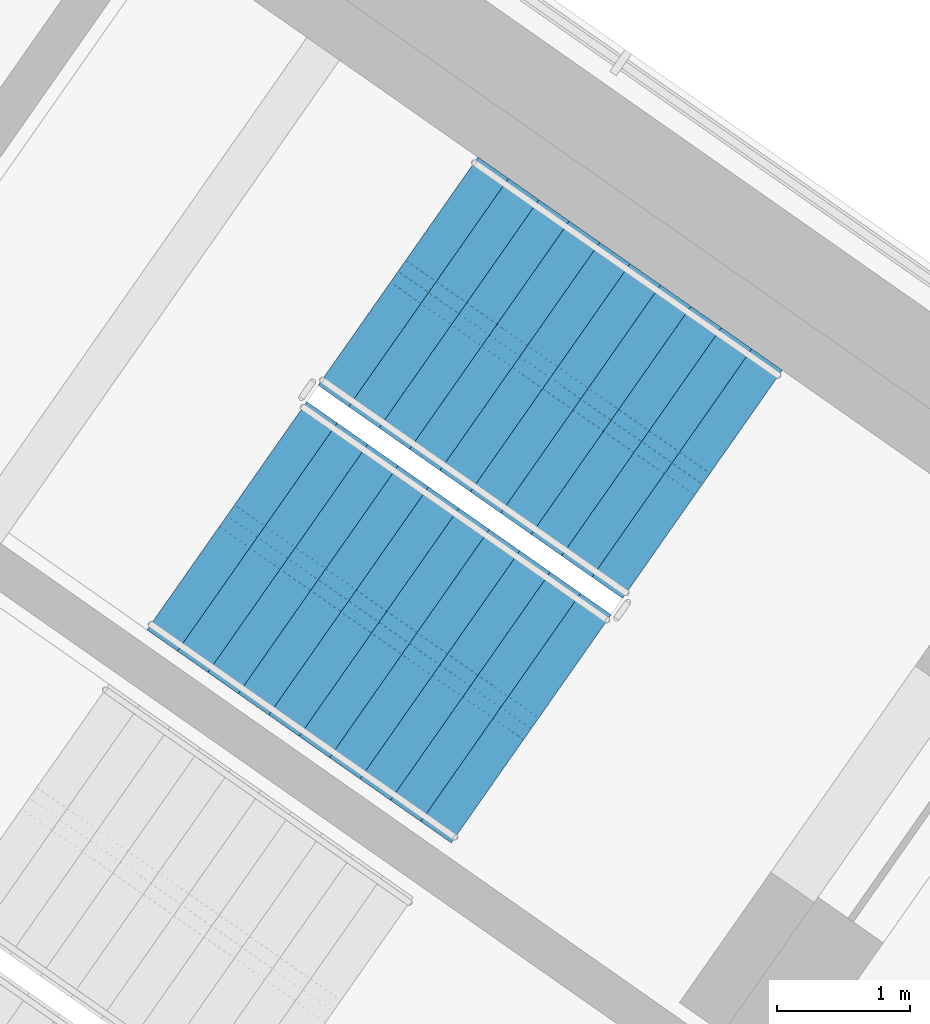
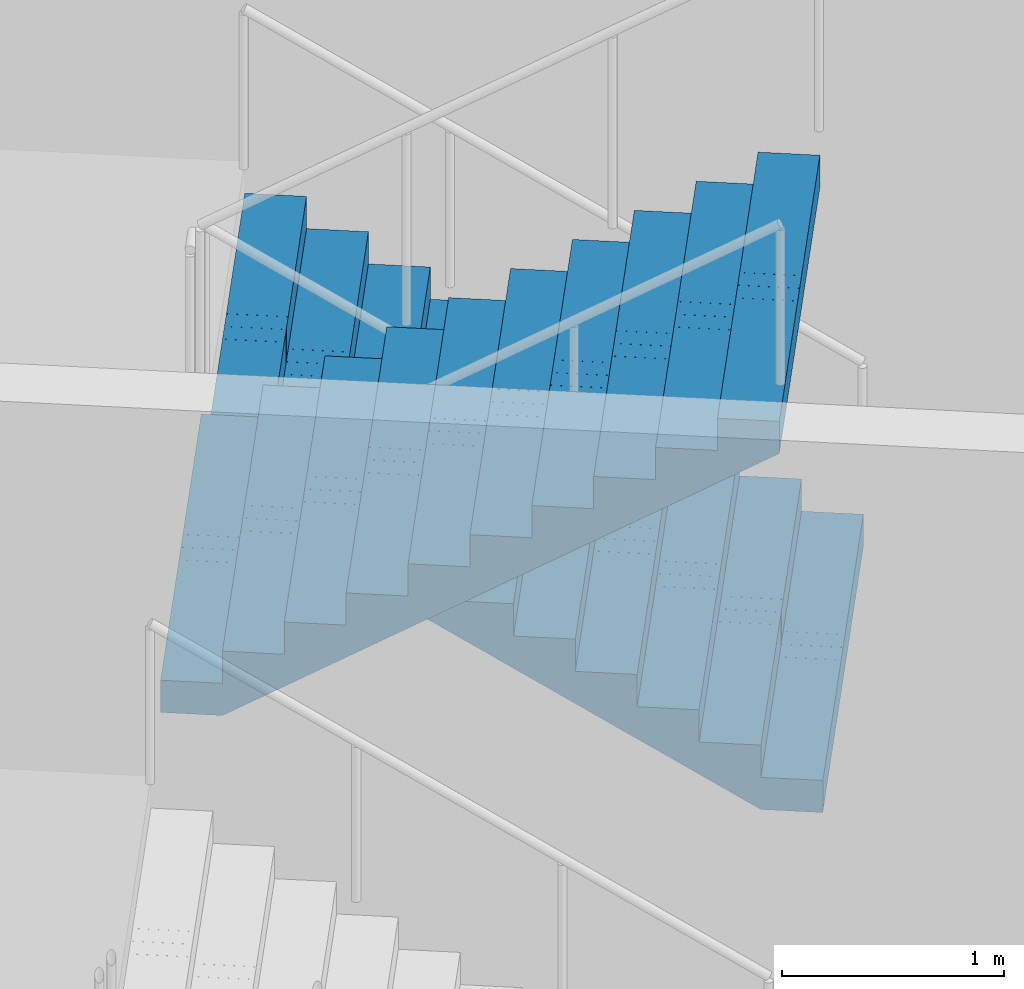
# One storey, part 15 of 20: 2 stair flights, 1 element without a shape of its own.
"""IFC4 building model written with IfcOpenShell, lengths in metres."""

from ifc_helpers import new_model, si_unit, direction, frame, origin, place, context, subcontext, project, spatial, polyline, outline, extrude, material, type_object, element, aggregate, save


model = new_model("IFC4")

# Units and contexts
model_context = context("Model", 3, precision=1e-05, world=origin(), true_north=direction((0.0, 1.0)))
body_context = subcontext(model_context, "Body", "Model", "MODEL_VIEW")
ifc_project = project(units=[si_unit("LENGTHUNIT", "METRE"), si_unit("AREAUNIT", "SQUARE_METRE"), si_unit("VOLUMEUNIT", "CUBIC_METRE"), si_unit("PLANEANGLEUNIT", "RADIAN"), si_unit("MASSUNIT", "GRAM", prefix="KILO")], contexts=[model_context])

# Site, building, storey
site_placement = place(None, origin())
site = spatial("IfcSite", under=ifc_project, at=site_placement, CompositionType="ELEMENT")
building_placement = place(site_placement, origin())
building = spatial("IfcBuilding", under=site, at=building_placement, Name="Tel Ilan Convention Tower", CompositionType="ELEMENT")
storey_placement = place(building_placement, frame((0.0, 0.0, 237.10009765625)))
storey = spatial("IfcBuildingStorey", under=building, at=storey_placement, Name="L55", CompositionType="ELEMENT", Elevation=237.10009765625)

# Stair, stair flights
ifc_material_1 = material(Name="Concrete C40/50", Category="concrete")
stair_type = type_object("IfcStairType", Name="Pressurised Exit Stair 22 risers 177 mm", PredefinedType="HALF_TURN_STAIR", material=ifc_material_1)
stair_placement = place(storey_placement, origin())
stair = element("IfcStair", 1, at=stair_placement, inside=storey, type_object=stair_type, Name="L55 Pressurised Stair S3", PredefinedType="HALF_TURN_STAIR")
ifc_material_2 = material(Name="Precast Concrete C40/50", Category="concrete")
stair_flight_type = type_object("IfcStairFlightType", Name="Concrete Stair Flight 2100 mm 22 risers 177 mm", PredefinedType="STRAIGHT", material=ifc_material_2)
stair_flight_1_placement = place(storey_placement, frame((24.25244140625, -7.032470703125, 0.0), z_axis=(0.0, 0.0, 1.0), x_axis=(-0.819152044289, 0.573576436351, 0.0)))
stair_flight_1 = element("IfcStairFlight", 2, at=stair_flight_1_placement, type_object=stair_flight_type, Name="S3 flight 1", NumberOfRisers=11, NumberOfTreads=10, PredefinedType="STRAIGHT", RiserHeight=0.177272727, TreadLength=0.28, context=body_context, shape_type="SweptSolid", body=[
    extrude(outline(polyline([(0.0, 0.0), (0.0, 0.17724609375), (0.280029296875, 0.17724609375), (0.280029296875, 0.3544921875), (0.56005859375, 0.3544921875), (0.56005859375, 0.53173828125), (0.840087890625, 0.53173828125), (0.840087890625, 0.708984375), (1.1201171875, 0.708984375), (1.1201171875, 0.886474609375), (1.39990234375, 0.886474609375), (1.39990234375, 1.063720703125), (1.679931640625, 1.063720703125), (1.679931640625, 1.240966796875), (1.9599609375, 1.240966796875), (1.9599609375, 1.418212890625), (2.239990234375, 1.418212890625), (2.239990234375, 1.595458984375), (2.52001953125, 1.595458984375), (2.52001953125, 1.772705078125), (2.800048828125, 1.772705078125), (2.800048828125, 1.949951171875), (2.800048828125, 1.59521484375), (0.2802734375, 0.0), (0.0, 0.0)])), frame((0.0, -0.100341796875, 0.0), z_axis=(0.0, -1.0, 0.0), x_axis=(1.0, 0.0, 0.0)), (0.0, 0.0, 1.0), 0.94970703125),
    extrude(outline(polyline([(0.0, 0.0), (0.0, 0.17724609375), (0.280029296875, 0.17724609375), (0.280029296875, 0.3544921875), (0.56005859375, 0.3544921875), (0.56005859375, 0.53173828125), (0.840087890625, 0.53173828125), (0.840087890625, 0.708984375), (1.1201171875, 0.708984375), (1.1201171875, 0.886474609375), (1.39990234375, 0.886474609375), (1.39990234375, 1.063720703125), (1.679931640625, 1.063720703125), (1.679931640625, 1.240966796875), (1.9599609375, 1.240966796875), (1.9599609375, 1.418212890625), (2.239990234375, 1.418212890625), (2.239990234375, 1.595458984375), (2.52001953125, 1.595458984375), (2.52001953125, 1.772705078125), (2.800048828125, 1.772705078125), (2.800048828125, 1.949951171875), (2.800048828125, 1.59521484375), (0.2802734375, 0.0), (0.0, 0.0)])), frame((0.0, -0.000244140625, 0.0), z_axis=(0.0, -1.0, 0.0), x_axis=(1.0, 0.0, 0.0)), (0.0, 0.0, 1.0), 0.099609375),
    extrude(outline(polyline([(0.0, 0.0), (0.0, 0.17724609375), (0.280029296875, 0.17724609375), (0.280029296875, 0.3544921875), (0.56005859375, 0.3544921875), (0.56005859375, 0.53173828125), (0.840087890625, 0.53173828125), (0.840087890625, 0.708984375), (1.1201171875, 0.708984375), (1.1201171875, 0.886474609375), (1.39990234375, 0.886474609375), (1.39990234375, 1.063720703125), (1.679931640625, 1.063720703125), (1.679931640625, 1.240966796875), (1.9599609375, 1.240966796875), (1.9599609375, 1.418212890625), (2.239990234375, 1.418212890625), (2.239990234375, 1.595458984375), (2.52001953125, 1.595458984375), (2.52001953125, 1.772705078125), (2.800048828125, 1.772705078125), (2.800048828125, 1.949951171875), (2.800048828125, 1.59521484375), (0.2802734375, 0.0), (0.0, 0.0)])), frame((0.0, 0.099853515625, 0.0), z_axis=(0.0, -1.0, 0.0), x_axis=(1.0, 0.0, 0.0)), (0.0, 0.0, 1.0), 0.099609375),
    extrude(outline(polyline([(0.0, 0.0), (0.0, 0.17724609375), (0.280029296875, 0.17724609375), (0.280029296875, 0.3544921875), (0.56005859375, 0.3544921875), (0.56005859375, 0.53173828125), (0.840087890625, 0.53173828125), (0.840087890625, 0.708984375), (1.1201171875, 0.708984375), (1.1201171875, 0.886474609375), (1.39990234375, 0.886474609375), (1.39990234375, 1.063720703125), (1.679931640625, 1.063720703125), (1.679931640625, 1.240966796875), (1.9599609375, 1.240966796875), (1.9599609375, 1.418212890625), (2.239990234375, 1.418212890625), (2.239990234375, 1.595458984375), (2.52001953125, 1.595458984375), (2.52001953125, 1.772705078125), (2.800048828125, 1.772705078125), (2.800048828125, 1.949951171875), (2.800048828125, 1.59521484375), (0.2802734375, 0.0), (0.0, 0.0)])), frame((0.0, 1.050048828125, 0.0), z_axis=(0.0, -1.0, 0.0), x_axis=(1.0, 0.0, 0.0)), (0.0, 0.0, 1.0), 0.94970703125),
])
stair_flight_2_placement = place(storey_placement, frame((20.668212890625, -7.26953125, 1.949951171875), z_axis=(0.0, 0.0, 1.0), x_axis=(0.819152044289, -0.573576436351, 0.0)))
stair_flight_2 = element("IfcStairFlight", 3, at=stair_flight_2_placement, type_object=stair_flight_type, Name="S3 flight 2", NumberOfRisers=11, NumberOfTreads=10, PredefinedType="STRAIGHT", RiserHeight=0.177272727, TreadLength=0.28, context=body_context, shape_type="SweptSolid", body=[
    extrude(outline(polyline([(0.0, 0.0), (0.0, 0.17724609375), (0.280029296875, 0.17724609375), (0.280029296875, 0.3544921875), (0.56005859375, 0.3544921875), (0.56005859375, 0.53173828125), (0.840087890625, 0.53173828125), (0.840087890625, 0.708984375), (1.1201171875, 0.708984375), (1.1201171875, 0.886474609375), (1.39990234375, 0.886474609375), (1.39990234375, 1.063720703125), (1.679931640625, 1.063720703125), (1.679931640625, 1.240966796875), (1.9599609375, 1.240966796875), (1.9599609375, 1.418212890625), (2.239990234375, 1.418212890625), (2.239990234375, 1.595458984375), (2.52001953125, 1.595458984375), (2.52001953125, 1.772705078125), (2.800048828125, 1.772705078125), (2.800048828125, 1.949951171875), (2.800048828125, 1.59521484375), (0.2802734375, 0.0), (0.0, 0.0)])), frame((0.0, -0.100341796875, 0.0), z_axis=(0.0, -1.0, 0.0), x_axis=(1.0, 0.0, 0.0)), (0.0, 0.0, 1.0), 0.94970703125),
    extrude(outline(polyline([(0.0, 0.0), (0.0, 0.17724609375), (0.280029296875, 0.17724609375), (0.280029296875, 0.3544921875), (0.56005859375, 0.3544921875), (0.56005859375, 0.53173828125), (0.840087890625, 0.53173828125), (0.840087890625, 0.708984375), (1.1201171875, 0.708984375), (1.1201171875, 0.886474609375), (1.39990234375, 0.886474609375), (1.39990234375, 1.063720703125), (1.679931640625, 1.063720703125), (1.679931640625, 1.240966796875), (1.9599609375, 1.240966796875), (1.9599609375, 1.418212890625), (2.239990234375, 1.418212890625), (2.239990234375, 1.595458984375), (2.52001953125, 1.595458984375), (2.52001953125, 1.772705078125), (2.800048828125, 1.772705078125), (2.800048828125, 1.949951171875), (2.800048828125, 1.59521484375), (0.2802734375, 0.0), (0.0, 0.0)])), frame((0.0, -0.000244140625, 0.0), z_axis=(0.0, -1.0, 0.0), x_axis=(1.0, 0.0, 0.0)), (0.0, 0.0, 1.0), 0.099609375),
    extrude(outline(polyline([(0.0, 0.0), (0.0, 0.17724609375), (0.280029296875, 0.17724609375), (0.280029296875, 0.3544921875), (0.56005859375, 0.3544921875), (0.56005859375, 0.53173828125), (0.840087890625, 0.53173828125), (0.840087890625, 0.708984375), (1.1201171875, 0.708984375), (1.1201171875, 0.886474609375), (1.39990234375, 0.886474609375), (1.39990234375, 1.063720703125), (1.679931640625, 1.063720703125), (1.679931640625, 1.240966796875), (1.9599609375, 1.240966796875), (1.9599609375, 1.418212890625), (2.239990234375, 1.418212890625), (2.239990234375, 1.595458984375), (2.52001953125, 1.595458984375), (2.52001953125, 1.772705078125), (2.800048828125, 1.772705078125), (2.800048828125, 1.949951171875), (2.800048828125, 1.59521484375), (0.2802734375, 0.0), (0.0, 0.0)])), frame((0.0, 0.099853515625, 0.0), z_axis=(0.0, -1.0, 0.0), x_axis=(1.0, 0.0, 0.0)), (0.0, 0.0, 1.0), 0.099609375),
    extrude(outline(polyline([(0.0, 0.0), (0.0, 0.17724609375), (0.280029296875, 0.17724609375), (0.280029296875, 0.3544921875), (0.56005859375, 0.3544921875), (0.56005859375, 0.53173828125), (0.840087890625, 0.53173828125), (0.840087890625, 0.708984375), (1.1201171875, 0.708984375), (1.1201171875, 0.886474609375), (1.39990234375, 0.886474609375), (1.39990234375, 1.063720703125), (1.679931640625, 1.063720703125), (1.679931640625, 1.240966796875), (1.9599609375, 1.240966796875), (1.9599609375, 1.418212890625), (2.239990234375, 1.418212890625), (2.239990234375, 1.595458984375), (2.52001953125, 1.595458984375), (2.52001953125, 1.772705078125), (2.800048828125, 1.772705078125), (2.800048828125, 1.949951171875), (2.800048828125, 1.59521484375), (0.2802734375, 0.0), (0.0, 0.0)])), frame((0.0, 1.050048828125, 0.0), z_axis=(0.0, -1.0, 0.0), x_axis=(1.0, 0.0, 0.0)), (0.0, 0.0, 1.0), 0.94970703125),
])
aggregate(stair, [stair_flight_1, stair_flight_2])

save(model, "model.ifc")
